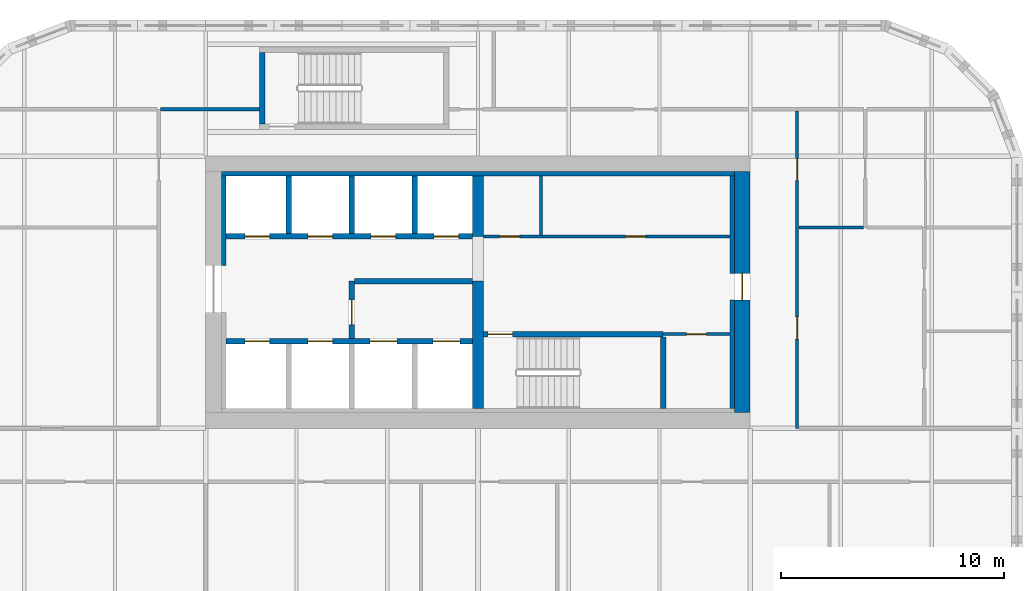
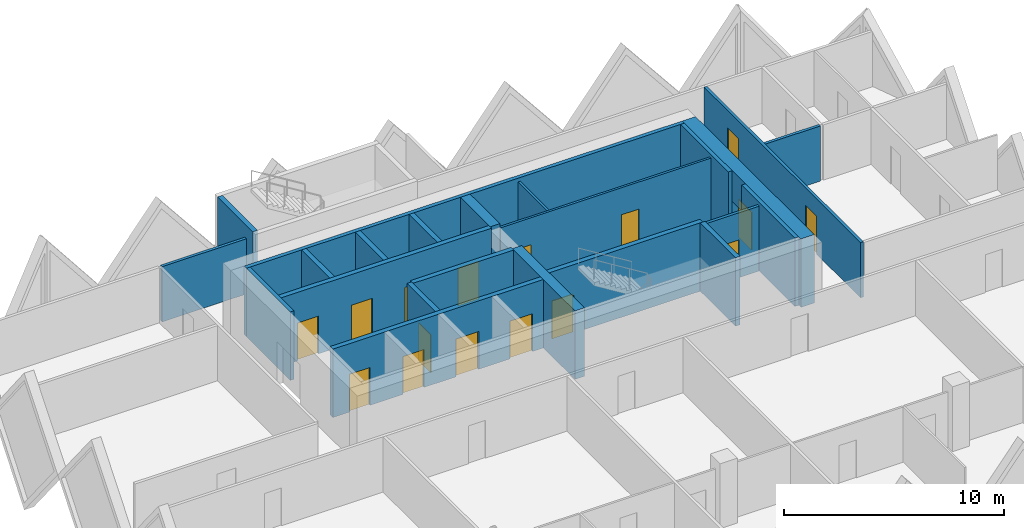
# One storey, part 13 of 18: 23 walls, 16 doors, 16 openings.
"""IFC4 building model written with IfcOpenShell, lengths in metres."""

from ifc_helpers import new_model, si_unit, direction, frame, frame_2d, origin, place, context, subcontext, project, spatial, rectangle, extrude, source, transform, mapped, material, layer, layer_set, type_object, element, fill, save


model = new_model("IFC4")

# Units and contexts
model_context = context("Model", 3, precision=1e-05, world=origin(), true_north=direction((0.0, 1.0)))
body_context = subcontext(model_context, "Body", "Model", "MODEL_VIEW")
ifc_project = project(units=[si_unit("LENGTHUNIT", "METRE"), si_unit("AREAUNIT", "SQUARE_METRE"), si_unit("VOLUMEUNIT", "CUBIC_METRE"), si_unit("PLANEANGLEUNIT", "RADIAN"), si_unit("MASSUNIT", "GRAM", prefix="KILO")], contexts=[model_context])

# Site, building, storey
site_placement = place(None, origin())
site = spatial("IfcSite", under=ifc_project, at=site_placement, CompositionType="ELEMENT")
building_placement = place(site_placement, origin())
building = spatial("IfcBuilding", under=site, at=building_placement, Name="Tessera Gate Towers", CompositionType="ELEMENT")
storey_placement = place(building_placement, frame((0.0, 0.0, 56.199951171875)))
storey = spatial("IfcBuildingStorey", under=building, at=storey_placement, Name="L13", CompositionType="ELEMENT", Elevation=56.199951171875)

# Wall, openings, doors
ifc_material_1 = material(Name="Concrete C40/50", Category="concrete")
ifc_layer_1 = layer(ifc_material_1, 0.25)
ifc_layer_set_1 = layer_set([ifc_layer_1], Name="CORE ENCLOSURE WALL 250")
wall_type_1 = type_object("IfcWallType", Name="CORE ENCLOSURE WALL 250", PredefinedType="SOLIDWALL", material=ifc_layer_set_1)
wall_1_placement = place(storey_placement, frame((98.5, 40.5, 0.0), z_axis=(0.0, 0.0, 1.0), x_axis=(1.0, 0.0, 0.0)))
wall_1 = element("IfcWall", 1, at=wall_1_placement, inside=storey, type_object=wall_type_1, Name="L13 shaft and stair enclosure wall", PredefinedType="SOLIDWALL", context=body_context, shape_type="SweptSolid", body=[
    extrude(rectangle(XDim=11.050048828125, YDim=0.25, at=frame_2d((5.52490234375, 0.0))), origin(), (0.0, 0.0, 1.0), 3.800048828125),
])
shared_shape_1 = source(origin(), body_context, "Body", "SweptSolid", [
    extrude(rectangle(XDim=1.10009765625, YDim=2.10009765625, at=frame_2d((0.550048828125, 1.050048828125))), frame((0.0, 0.135009765625, 0.0), z_axis=(0.0, -1.0, 0.0), x_axis=(1.0, 0.0, 0.0)), (0.0, 0.0, 1.0), 0.27001953125),
])
opening_1_placement = place(wall_1_placement, frame((0.862548828125, 0.0, 0.0)))
opening_1 = element("IfcOpeningElement", 2, at=opening_1_placement, cuts=wall_1, Name="Opening LD-TL1", PredefinedType="OPENING", context=body_context, shape_type="MappedRepresentation", body=[
    mapped(shared_shape_1, transform((0.0, 0.0, 0.0), scale=1.0)),
])
opening_2_placement = place(wall_1_placement, frame((3.6875, 0.0, 0.0)))
opening_2 = element("IfcOpeningElement", 3, at=opening_2_placement, cuts=wall_1, Name="Opening LD-TL2", PredefinedType="OPENING", context=body_context, shape_type="MappedRepresentation", body=[
    mapped(shared_shape_1, transform((0.0, 0.0, 0.0), scale=1.0)),
])
shared_shape_2 = source(origin(), body_context, "Body", "SweptSolid", [
    extrude(rectangle(XDim=1.199951171875, YDim=2.10009765625, at=frame_2d((0.60009765625, 1.050048828125))), frame((0.0, 0.135009765625, 0.0), z_axis=(0.0, -1.0, 0.0), x_axis=(1.0, 0.0, 0.0)), (0.0, 0.0, 1.0), 0.27001953125),
])
opening_3_placement = place(wall_1_placement, frame((6.46240234375, 0.0, 0.0)))
opening_3 = element("IfcOpeningElement", 4, at=opening_3_placement, cuts=wall_1, Name="Opening LD-FF3", PredefinedType="OPENING", context=body_context, shape_type="MappedRepresentation", body=[
    mapped(shared_shape_2, transform((0.0, 0.0, 0.0), scale=1.0)),
])
opening_4_placement = place(wall_1_placement, frame((9.28759765625, 0.0, 0.0)))
opening_4 = element("IfcOpeningElement", 5, at=opening_4_placement, cuts=wall_1, Name="Opening LD-FF4", PredefinedType="OPENING", context=body_context, shape_type="MappedRepresentation", body=[
    mapped(shared_shape_2, transform((0.0, 0.0, 0.0), scale=1.0)),
])
ifc_material_2 = material(Name="Stainless steel", Category="steel")
door_type_1 = type_object("IfcDoorType", Name="CORE DOOR LD1200 1200x2100", OperationType="DOUBLE_DOOR_SLIDING", PredefinedType="DOOR", material=ifc_material_2)
shared_shape_3 = source(origin(), body_context, "Body", "SweptSolid", [
    extrude(rectangle(XDim=1.199951171875, YDim=2.10009765625, at=frame_2d((0.60009765625, 1.050048828125))), frame((0.0, 0.02490234375, 0.0), z_axis=(0.0, -1.0, 0.0), x_axis=(1.0, 0.0, 0.0)), (0.0, 0.0, 1.0), 0.050048828125),
])
door_1_placement = place(opening_3_placement, origin())
door_1 = element("IfcDoor", 6, at=door_1_placement, inside=storey, type_object=door_type_1, Name="Landing door FF3 L13", OperationType="DOUBLE_DOOR_SLIDING", OverallHeight=2.10009765625, OverallWidth=1.199951171875, PredefinedType="DOOR", context=body_context, shape_type="MappedRepresentation", body=[
    mapped(shared_shape_3, transform((0.0, 0.0, 0.0), scale=1.0)),
])
fill(opening_3, door_1)
door_2_placement = place(opening_4_placement, origin())
door_2 = element("IfcDoor", 7, at=door_2_placement, inside=storey, type_object=door_type_1, Name="Landing door FF4 L13", OperationType="DOUBLE_DOOR_SLIDING", OverallHeight=2.10009765625, OverallWidth=1.199951171875, PredefinedType="DOOR", context=body_context, shape_type="MappedRepresentation", body=[
    mapped(shared_shape_3, transform((0.0, 0.0, 0.0), scale=1.0)),
])
fill(opening_4, door_2)
ifc_material_3 = material(Name="Stainless steel", Category="steel")
door_type_2 = type_object("IfcDoorType", Name="CORE DOOR LD 1100x2100", OperationType="DOUBLE_DOOR_SLIDING", PredefinedType="DOOR", material=ifc_material_3)
shared_shape_4 = source(origin(), body_context, "Body", "SweptSolid", [
    extrude(rectangle(XDim=1.10009765625, YDim=2.10009765625, at=frame_2d((0.550048828125, 1.050048828125))), frame((0.0, 0.02490234375, 0.0), z_axis=(0.0, -1.0, 0.0), x_axis=(1.0, 0.0, 0.0)), (0.0, 0.0, 1.0), 0.050048828125),
])
door_3_placement = place(opening_1_placement, origin())
door_3 = element("IfcDoor", 8, at=door_3_placement, inside=storey, type_object=door_type_2, Name="Landing door TL1 L13", OperationType="DOUBLE_DOOR_SLIDING", OverallHeight=2.10009765625, OverallWidth=1.10009765625, PredefinedType="DOOR", context=body_context, shape_type="MappedRepresentation", body=[
    mapped(shared_shape_4, transform((0.0, 0.0, 0.0), scale=1.0)),
])
fill(opening_1, door_3)
door_4_placement = place(opening_2_placement, origin())
door_4 = element("IfcDoor", 9, at=door_4_placement, inside=storey, type_object=door_type_2, Name="Landing door TL2 L13", OperationType="DOUBLE_DOOR_SLIDING", OverallHeight=2.10009765625, OverallWidth=1.10009765625, PredefinedType="DOOR", context=body_context, shape_type="MappedRepresentation", body=[
    mapped(shared_shape_4, transform((0.0, 0.0, 0.0), scale=1.0)),
])
fill(opening_2, door_4)

wall_2_placement = place(storey_placement, frame((109.550048828125, 45.199951171875, 0.0), z_axis=(0.0, 0.0, 1.0), x_axis=(-1.0, 0.0, 0.0)))
wall_2 = element("IfcWall", 10, at=wall_2_placement, inside=storey, type_object=wall_type_1, Name="L13 shaft and stair enclosure wall", PredefinedType="SOLIDWALL", context=body_context, shape_type="SweptSolid", body=[
    extrude(rectangle(XDim=11.050048828125, YDim=0.25, at=frame_2d((5.52490234375, 0.0))), origin(), (0.0, 0.0, 1.0), 3.800048828125),
])
opening_5_placement = place(wall_2_placement, frame((9.08740234375, 0.0, 0.0)))
opening_5 = element("IfcOpeningElement", 11, at=opening_5_placement, cuts=wall_2, Name="Opening LD-TL3", PredefinedType="OPENING", context=body_context, shape_type="MappedRepresentation", body=[
    mapped(shared_shape_1, transform((0.0, 0.0, 0.0), scale=1.0)),
])
opening_6_placement = place(wall_2_placement, frame((6.262451171875, 0.0, 0.0)))
opening_6 = element("IfcOpeningElement", 12, at=opening_6_placement, cuts=wall_2, Name="Opening LD-TL4", PredefinedType="OPENING", context=body_context, shape_type="MappedRepresentation", body=[
    mapped(shared_shape_1, transform((0.0, 0.0, 0.0), scale=1.0)),
])
opening_7_placement = place(wall_2_placement, frame((3.4375, 0.0, 0.0)))
opening_7 = element("IfcOpeningElement", 13, at=opening_7_placement, cuts=wall_2, Name="Opening LD-TL5", PredefinedType="OPENING", context=body_context, shape_type="MappedRepresentation", body=[
    mapped(shared_shape_1, transform((0.0, 0.0, 0.0), scale=1.0)),
])
opening_8_placement = place(wall_2_placement, frame((0.612548828125, 0.0, 0.0)))
opening_8 = element("IfcOpeningElement", 14, at=opening_8_placement, cuts=wall_2, Name="Opening LD-TL6", PredefinedType="OPENING", context=body_context, shape_type="MappedRepresentation", body=[
    mapped(shared_shape_1, transform((0.0, 0.0, 0.0), scale=1.0)),
])
door_5_placement = place(opening_5_placement, origin())
door_5 = element("IfcDoor", 15, at=door_5_placement, inside=storey, type_object=door_type_2, Name="Landing door TL3 L13", OperationType="DOUBLE_DOOR_SLIDING", OverallHeight=2.10009765625, OverallWidth=1.10009765625, PredefinedType="DOOR", context=body_context, shape_type="MappedRepresentation", body=[
    mapped(shared_shape_4, transform((0.0, 0.0, 0.0), scale=1.0)),
])
fill(opening_5, door_5)
door_6_placement = place(opening_6_placement, origin())
door_6 = element("IfcDoor", 16, at=door_6_placement, inside=storey, type_object=door_type_2, Name="Landing door TL4 L13", OperationType="DOUBLE_DOOR_SLIDING", OverallHeight=2.10009765625, OverallWidth=1.10009765625, PredefinedType="DOOR", context=body_context, shape_type="MappedRepresentation", body=[
    mapped(shared_shape_4, transform((0.0, 0.0, 0.0), scale=1.0)),
])
fill(opening_6, door_6)
door_7_placement = place(opening_7_placement, origin())
door_7 = element("IfcDoor", 17, at=door_7_placement, inside=storey, type_object=door_type_2, Name="Landing door TL5 L13", OperationType="DOUBLE_DOOR_SLIDING", OverallHeight=2.10009765625, OverallWidth=1.10009765625, PredefinedType="DOOR", context=body_context, shape_type="MappedRepresentation", body=[
    mapped(shared_shape_4, transform((0.0, 0.0, 0.0), scale=1.0)),
])
fill(opening_7, door_7)
door_8_placement = place(opening_8_placement, origin())
door_8 = element("IfcDoor", 18, at=door_8_placement, inside=storey, type_object=door_type_2, Name="Landing door TL6 L13", OperationType="DOUBLE_DOOR_SLIDING", OverallHeight=2.10009765625, OverallWidth=1.10009765625, PredefinedType="DOOR", context=body_context, shape_type="MappedRepresentation", body=[
    mapped(shared_shape_4, transform((0.0, 0.0, 0.0), scale=1.0)),
])
fill(opening_8, door_8)

# Wall, opening, door
wall_3_placement = place(storey_placement, frame((118.10009765625, 40.824951171875, 0.0), z_axis=(0.0, 0.0, 1.0), x_axis=(-1.0, 0.0, 0.0)))
wall_3 = element("IfcWall", 19, at=wall_3_placement, inside=storey, type_object=wall_type_1, Name="L13 shaft and stair enclosure wall", PredefinedType="SOLIDWALL", context=body_context, shape_type="SweptSolid", body=[
    extrude(rectangle(XDim=8.050048828125, YDim=0.25, at=frame_2d((4.02490234375, 0.0))), origin(), (0.0, 0.0, 1.0), 3.800048828125),
])
opening_9_placement = place(wall_3_placement, frame((6.75, 0.0, 0.0)))
opening_9 = element("IfcOpeningElement", 20, at=opening_9_placement, cuts=wall_3, Name="Opening SD-ST6-1", PredefinedType="OPENING", context=body_context, shape_type="MappedRepresentation", body=[
    mapped(shared_shape_1, transform((0.0, 0.0, 0.0), scale=1.0)),
])
ifc_material_4 = material(Name="Hollow steel fire door", Category="steel")
door_type_3 = type_object("IfcDoorType", Name="CORE DOOR SD1100 1100x2100", OperationType="NOTDEFINED", PredefinedType="DOOR", material=ifc_material_4)
door_9_placement = place(opening_9_placement, origin())
door_9 = element("IfcDoor", 21, at=door_9_placement, inside=storey, type_object=door_type_3, Name="Stair door", OperationType="SINGLE_SWING_RIGHT", OverallHeight=2.10009765625, OverallWidth=1.10009765625, PredefinedType="DOOR", context=body_context, shape_type="MappedRepresentation", body=[
    mapped(shared_shape_4, transform((0.0, 0.0, 0.0), scale=1.0)),
])
fill(opening_9, door_9)

wall_4_placement = place(storey_placement, frame((104.14990234375, 43.199951171875, 0.0), z_axis=(0.0, 0.0, 1.0), x_axis=(0.0, -1.0, 0.0)))
wall_4 = element("IfcWall", 22, at=wall_4_placement, inside=storey, type_object=wall_type_1, Name="L13 shaft and stair enclosure wall", PredefinedType="SOLIDWALL", context=body_context, shape_type="SweptSolid", body=[
    extrude(rectangle(XDim=2.574951171875, YDim=0.25, at=frame_2d((1.28759765625, 0.0))), origin(), (0.0, 0.0, 1.0), 3.800048828125),
])
opening_10_placement = place(wall_4_placement, frame((0.85009765625, 0.0, 0.0)))
opening_10 = element("IfcOpeningElement", 23, at=opening_10_placement, cuts=wall_4, Name="Opening FD-T2-03-03", PredefinedType="OPENING", context=body_context, shape_type="MappedRepresentation", body=[
    mapped(shared_shape_1, transform((0.0, 0.0, 0.0), scale=1.0)),
])
ifc_material_5 = material(Name="Hollow steel fire door", Category="steel")
door_type_4 = type_object("IfcDoorType", Name="CORE DOOR FD 1100x2100", OperationType="NOTDEFINED", PredefinedType="DOOR", material=ifc_material_5)
door_10_placement = place(opening_10_placement, origin())
door_10 = element("IfcDoor", 24, at=door_10_placement, inside=storey, type_object=door_type_4, Name="Fire-fighting lobby door", OperationType="SINGLE_SWING_RIGHT", OverallHeight=2.10009765625, OverallWidth=1.10009765625, PredefinedType="DOOR", context=body_context, shape_type="MappedRepresentation", body=[
    mapped(shared_shape_4, transform((0.0, 0.0, 0.0), scale=1.0)),
])
fill(opening_10, door_10)

# Walls
wall_5_placement = place(storey_placement, frame((104.27490234375, 43.199951171875, 0.0), z_axis=(0.0, 0.0, 1.0), x_axis=(1.0, 0.0, 0.0)))
element("IfcWall", 25, at=wall_5_placement, inside=storey, type_object=wall_type_1, Name="L13 shaft and stair enclosure wall", PredefinedType="SOLIDWALL", context=body_context, shape_type="SweptSolid", body=[
    extrude(rectangle(XDim=5.275146484375, YDim=0.25, at=frame_2d((2.6376953125, 0.0))), origin(), (0.0, 0.0, 1.0), 3.800048828125),
])
wall_6_placement = place(storey_placement, frame((118.10009765625, 37.5, 0.0), z_axis=(0.0, 0.0, 1.0), x_axis=(0.0, 1.0, 0.0)))
element("IfcWall", 26, at=wall_6_placement, inside=storey, type_object=wall_type_1, Name="L13 shaft and stair enclosure wall", PredefinedType="SOLIDWALL", context=body_context, shape_type="SweptSolid", body=[
    extrude(rectangle(XDim=3.199951171875, YDim=0.25, at=frame_2d((1.60009765625, 0.0))), origin(), (0.0, 0.0, 1.0), 3.800048828125),
])
for number, where, z_axis, x_axis, name in (
    (27, (101.324951171875, 45.324951171875, 0.0), (0.0, 0.0, 1.0), (0.0, 1.0, 0.0), "L13 shaft and stair enclosure wall"),
    (28, (104.14990234375, 45.324951171875, 0.0), (0.0, 0.0, 1.0), (0.0, 1.0, 0.0), "L13 shaft and stair enclosure wall"),
    (29, (106.97509765625, 45.324951171875, 0.0), (0.0, 0.0, 1.0), (0.0, 1.0, 0.0), "L13 shaft and stair enclosure wall"),
):
    element("IfcWall", number, at=place(storey_placement, frame(where, z_axis=z_axis, x_axis=x_axis)), inside=storey, type_object=wall_type_1, Name=name, PredefinedType="SOLIDWALL", context=body_context, shape_type="SweptSolid", body=[
        extrude(rectangle(XDim=2.574951171875, YDim=0.25, at=frame_2d((1.28759765625, 0.0))), origin(), (0.0, 0.0, 1.0), 3.800048828125),
    ])
wall_7_placement = place(storey_placement, frame((100.125, 50.25, 0.0), z_axis=(0.0, 0.0, 1.0), x_axis=(0.0, 1.0, 0.0)))
element("IfcWall", 30, at=wall_7_placement, inside=storey, type_object=wall_type_1, Name="L13 ST7 enclosure wall", PredefinedType="SOLIDWALL", context=body_context, shape_type="SweptSolid", body=[
    extrude(rectangle(XDim=3.199951171875, YDim=0.25, at=frame_2d((1.60009765625, 0.0))), origin(), (0.0, 0.0, 1.0), 3.800048828125),
])

# Wall, openings, doors
ifc_material_6 = material(Name="Gypsum board on steel studs", Category="steel")
ifc_layer_2 = layer(ifc_material_6, 0.1201171875)
ifc_layer_set_2 = layer_set([ifc_layer_2], Name="CORE PARTITION 120")
wall_type_2 = type_object("IfcWallType", Name="CORE PARTITION 120", PredefinedType="PARTITIONING", material=ifc_layer_set_2)
wall_8_placement = place(storey_placement, frame((110.050048828125, 45.199951171875, 0.0), z_axis=(0.0, 0.0, 1.0), x_axis=(1.0, 0.0, 0.0)))
wall_8 = element("IfcWall", 31, at=wall_8_placement, inside=storey, type_object=wall_type_2, Name="L13 core partition", PredefinedType="PARTITIONING", context=body_context, shape_type="SweptSolid", body=[
    extrude(rectangle(XDim=11.050048828125, YDim=0.1201171875, at=frame_2d((5.52490234375, 0.0))), origin(), (0.0, 0.0, 1.0), 3.60009765625),
])
shared_shape_5 = source(origin(), body_context, "Body", "SweptSolid", [
    extrude(rectangle(XDim=0.89990234375, YDim=2.10009765625, at=frame_2d((0.449951171875, 1.050048828125))), frame((0.0, 0.070068359375, 0.0), z_axis=(0.0, -1.0, 0.0), x_axis=(1.0, 0.0, 0.0)), (0.0, 0.0, 1.0), 0.14013671875),
])
opening_11_placement = place(wall_8_placement, frame((0.71240234375, 0.0, 0.0)))
opening_11 = element("IfcOpeningElement", 32, at=opening_11_placement, cuts=wall_8, Name="Opening RD-T2-03-04", PredefinedType="OPENING", context=body_context, shape_type="MappedRepresentation", body=[
    mapped(shared_shape_5, transform((0.0, 0.0, 0.0), scale=1.0)),
])
opening_12_placement = place(wall_8_placement, frame((6.362548828125, 0.0, 0.0)))
opening_12 = element("IfcOpeningElement", 33, at=opening_12_placement, cuts=wall_8, Name="Opening RD-T2-03-05", PredefinedType="OPENING", context=body_context, shape_type="MappedRepresentation", body=[
    mapped(shared_shape_5, transform((0.0, 0.0, 0.0), scale=1.0)),
])
ifc_material_7 = material(Name="Hollow steel fire door", Category="steel")
door_type_5 = type_object("IfcDoorType", Name="CORE DOOR RD 900x2100", OperationType="NOTDEFINED", PredefinedType="DOOR", material=ifc_material_7)
shared_shape_6 = source(origin(), body_context, "Body", "SweptSolid", [
    extrude(rectangle(XDim=0.89990234375, YDim=2.10009765625, at=frame_2d((0.449951171875, 1.050048828125))), frame((0.0, 0.02490234375, 0.0), z_axis=(0.0, -1.0, 0.0), x_axis=(1.0, 0.0, 0.0)), (0.0, 0.0, 1.0), 0.050048828125),
])
door_11_placement = place(opening_11_placement, origin())
door_11 = element("IfcDoor", 34, at=door_11_placement, inside=storey, type_object=door_type_5, Name="Core room door", OperationType="SINGLE_SWING_LEFT", OverallHeight=2.10009765625, OverallWidth=0.89990234375, PredefinedType="DOOR", context=body_context, shape_type="MappedRepresentation", body=[
    mapped(shared_shape_6, transform((0.0, 0.0, 0.0), scale=1.0)),
])
fill(opening_11, door_11)
door_12_placement = place(opening_12_placement, origin())
door_12 = element("IfcDoor", 35, at=door_12_placement, inside=storey, type_object=door_type_5, Name="Core room door", OperationType="SINGLE_SWING_RIGHT", OverallHeight=2.10009765625, OverallWidth=0.89990234375, PredefinedType="DOOR", context=body_context, shape_type="MappedRepresentation", body=[
    mapped(shared_shape_6, transform((0.0, 0.0, 0.0), scale=1.0)),
])
fill(opening_12, door_12)

# Wall
wall_9_placement = place(storey_placement, frame((112.625, 45.260009765625, 0.0), z_axis=(0.0, 0.0, 1.0), x_axis=(0.0, 1.0, 0.0)))
element("IfcWall", 36, at=wall_9_placement, inside=storey, type_object=wall_type_2, Name="L13 core partition", PredefinedType="PARTITIONING", context=body_context, shape_type="SweptSolid", body=[
    extrude(rectangle(XDim=2.639892578125, YDim=0.1201171875, at=frame_2d((1.31982421875, 0.0))), origin(), (0.0, 0.0, 1.0), 3.60009765625),
])

# Wall, opening, door
ifc_material_8 = material(Name="Concrete C60/75", Category="concrete")
ifc_layer_3 = layer(ifc_material_8, 0.699951171875)
ifc_layer_set_3 = layer_set([ifc_layer_3], Name="CORE SHEAR WALL 700 C60/75")
wall_type_3 = type_object("IfcWallType", Name="CORE SHEAR WALL 700 C60/75", PredefinedType="SHEAR", material=ifc_layer_set_3)
wall_10_placement = place(storey_placement, frame((121.64990234375, 48.10009765625, 0.0), z_axis=(0.0, 0.0, 1.0), x_axis=(0.0, -1.0, 0.0)))
wall_10 = element("IfcWall", 37, at=wall_10_placement, inside=storey, type_object=wall_type_3, Name="Core wall E L13", PredefinedType="SHEAR", context=body_context, shape_type="SweptSolid", body=[
    extrude(rectangle(XDim=10.800048828125, YDim=0.699951171875, at=frame_2d((5.39990234375, 0.0))), origin(), (0.0, 0.0, 1.0), 3.800048828125),
])
shared_shape_7 = source(origin(), body_context, "Body", "SweptSolid", [
    extrude(rectangle(XDim=1.199951171875, YDim=2.10009765625, at=frame_2d((0.60009765625, 1.050048828125))), frame((0.0, 0.35986328125, 0.0), z_axis=(0.0, -1.0, 0.0), x_axis=(1.0, 0.0, 0.0)), (0.0, 0.0, 1.0), 0.719970703125),
])
opening_13_placement = place(wall_10_placement, frame((4.550048828125, 0.0, 0.0)))
opening_13 = element("IfcOpeningElement", 38, at=opening_13_placement, cuts=wall_10, Name="Opening ED-T2-03-02", PredefinedType="OPENING", context=body_context, shape_type="MappedRepresentation", body=[
    mapped(shared_shape_7, transform((0.0, 0.0, 0.0), scale=1.0)),
])
ifc_material_9 = material(Name="Hollow steel fire door", Category="steel")
door_type_6 = type_object("IfcDoorType", Name="CORE DOOR ED 1200x2100", OperationType="NOTDEFINED", PredefinedType="DOOR", material=ifc_material_9)
door_13_placement = place(opening_13_placement, origin())
door_13 = element("IfcDoor", 39, at=door_13_placement, inside=storey, type_object=door_type_6, Name="Core exit door", OperationType="SINGLE_SWING_LEFT", OverallHeight=2.10009765625, OverallWidth=1.199951171875, PredefinedType="DOOR", context=body_context, shape_type="MappedRepresentation", body=[
    mapped(shared_shape_3, transform((0.0, 0.0, 0.0), scale=1.0)),
])
fill(opening_13, door_13)

# Walls
ifc_material_10 = material(Name="Concrete C60/75", Category="concrete")
ifc_layer_4 = layer(ifc_material_10, 0.5)
ifc_layer_set_4 = layer_set([ifc_layer_4], Name="CORE SPINE WALL 500 C60/75")
wall_type_4 = type_object("IfcWallType", Name="CORE SPINE WALL 500 C60/75", PredefinedType="SHEAR", material=ifc_layer_set_4)
wall_11_placement = place(storey_placement, frame((109.800048828125, 37.5, 0.0), z_axis=(0.0, 0.0, 1.0), x_axis=(0.0, 1.0, 0.0)))
element("IfcWall", 40, at=wall_11_placement, inside=storey, type_object=wall_type_4, Name="Core wall spine L13", PredefinedType="SHEAR", context=body_context, shape_type="SweptSolid", body=[
    extrude(rectangle(XDim=5.699951171875, YDim=0.5, at=frame_2d((2.85009765625, 0.0))), origin(), (0.0, 0.0, 1.0), 3.800048828125),
])
wall_12_placement = place(storey_placement, frame((109.800048828125, 45.199951171875, 0.0), z_axis=(0.0, 0.0, 1.0), x_axis=(0.0, 1.0, 0.0)))
element("IfcWall", 41, at=wall_12_placement, inside=storey, type_object=wall_type_4, Name="Core wall spine L13", PredefinedType="SHEAR", context=body_context, shape_type="SweptSolid", body=[
    extrude(rectangle(XDim=2.699951171875, YDim=0.5, at=frame_2d((1.35009765625, 0.0))), origin(), (0.0, 0.0, 1.0), 3.800048828125),
])
ifc_material_11 = material(Name="Concrete C60/75", Category="concrete")
ifc_layer_5 = layer(ifc_material_11, 0.199951171875)
ifc_layer_set_5 = layer_set([ifc_layer_5], Name="CORE WALL THICKENING 200")
wall_type_5 = type_object("IfcWallType", Name="CORE WALL THICKENING 200", PredefinedType="SOLIDWALL", material=ifc_layer_set_5)
wall_13_placement = place(storey_placement, frame((98.300048828125, 48.0, 0.0), z_axis=(0.0, 0.0, 1.0), x_axis=(1.0, 0.0, 0.0)))
element("IfcWall", 42, at=wall_13_placement, inside=storey, type_object=wall_type_5, Name="Core wall thickening N L13", PredefinedType="SOLIDWALL", context=body_context, shape_type="SweptSolid", body=[
    extrude(rectangle(XDim=23.0, YDim=0.199951171875, at=frame_2d((11.5, 0.0))), origin(), (0.0, 0.0, 1.0), 3.800048828125),
])
wall_14_placement = place(storey_placement, frame((98.39990234375, 43.89990234375, 0.0), z_axis=(0.0, 0.0, 1.0), x_axis=(0.0, 1.0, 0.0)))
element("IfcWall", 43, at=wall_14_placement, inside=storey, type_object=wall_type_5, Name="Core wall thickening W L13", PredefinedType="SOLIDWALL", context=body_context, shape_type="SweptSolid", body=[
    extrude(rectangle(XDim=4.0, YDim=0.199951171875, at=frame_2d((2.0, 0.0))), origin(), (0.0, 0.0, 1.0), 3.800048828125),
])
wall_15_placement = place(storey_placement, frame((121.199951171875, 37.5, 0.0), z_axis=(0.0, 0.0, 1.0), x_axis=(0.0, 1.0, 0.0)))
element("IfcWall", 44, at=wall_15_placement, inside=storey, type_object=wall_type_5, Name="Core wall thickening E L13", PredefinedType="SOLIDWALL", context=body_context, shape_type="SweptSolid", body=[
    extrude(rectangle(XDim=4.85009765625, YDim=0.199951171875, at=frame_2d((2.425048828125, 0.0))), origin(), (0.0, 0.0, 1.0), 3.800048828125),
])
wall_16_placement = place(storey_placement, frame((121.199951171875, 43.550048828125, 0.0), z_axis=(0.0, 0.0, 1.0), x_axis=(0.0, 1.0, 0.0)))
element("IfcWall", 45, at=wall_16_placement, inside=storey, type_object=wall_type_5, Name="Core wall thickening E L13", PredefinedType="SOLIDWALL", context=body_context, shape_type="SweptSolid", body=[
    extrude(rectangle(XDim=4.349853515625, YDim=0.199951171875, at=frame_2d((2.1748046875, 0.0))), origin(), (0.0, 0.0, 1.0), 3.800048828125),
])

# Wall, openings, doors
ifc_material_12 = material(Name="Gypsum board on steel studs, mineral wool", Category="steel")
ifc_layer_6 = layer(ifc_material_12, 0.14990234375)
ifc_layer_set_6 = layer_set([ifc_layer_6], Name="CORRIDOR WALL 150")
wall_type_6 = type_object("IfcWallType", Name="CORRIDOR WALL 150", PredefinedType="PARTITIONING", material=ifc_layer_set_6)
wall_17_placement = place(storey_placement, frame((124.10009765625, 50.823974609375, 0.0), z_axis=(0.0, 0.0, 1.0), x_axis=(0.0, -1.0, 0.0)))
wall_17 = element("IfcWall", 46, at=wall_17_placement, inside=storey, type_object=wall_type_6, Name="T2-L13-PW-019", PredefinedType="PARTITIONING", context=body_context, shape_type="SweptSolid", body=[
    extrude(rectangle(XDim=14.223876953125, YDim=0.14990234375, at=frame_2d((7.11181640625, 0.0))), origin(), (0.0, 0.0, 1.0), 3.067138671875),
])
shared_shape_8 = source(origin(), body_context, "Body", "SweptSolid", [
    extrude(rectangle(XDim=1.0, YDim=2.10009765625, at=frame_2d((0.5, 1.050048828125))), frame((0.0, 0.0849609375, 0.0), z_axis=(0.0, -1.0, 0.0), x_axis=(1.0, 0.0, 0.0)), (0.0, 0.0, 1.0), 0.169921875),
])
opening_14_placement = place(wall_17_placement, frame((2.123046875, 0.0, 0.0)))
opening_14 = element("IfcOpeningElement", 47, at=opening_14_placement, cuts=wall_17, Name="Opening D2100FD60-B06-01", PredefinedType="OPENING", context=body_context, shape_type="MappedRepresentation", body=[
    mapped(shared_shape_8, transform((0.0, 0.0, 0.0), scale=1.0)),
])
opening_15_placement = place(wall_17_placement, frame((9.22412109375, 0.0, 0.0)))
opening_15 = element("IfcOpeningElement", 48, at=opening_15_placement, cuts=wall_17, Name="Opening D2100FD60-B06-04", PredefinedType="OPENING", context=body_context, shape_type="MappedRepresentation", body=[
    mapped(shared_shape_8, transform((0.0, 0.0, 0.0), scale=1.0)),
])
ifc_material_13 = material(Name="Timber door leaf in steel frame", Category="steel")
door_type_7 = type_object("IfcDoorType", Name="TENANCY ENTRANCE DOOR 1000 FD60", OperationType="NOTDEFINED", PredefinedType="DOOR", material=ifc_material_13)
shared_shape_9 = source(origin(), body_context, "Body", "SweptSolid", [
    extrude(rectangle(XDim=1.0, YDim=2.10009765625, at=frame_2d((0.5, 1.050048828125))), frame((0.0, 0.02490234375, 0.0), z_axis=(0.0, -1.0, 0.0), x_axis=(1.0, 0.0, 0.0)), (0.0, 0.0, 1.0), 0.050048828125),
])
door_14_placement = place(opening_14_placement, origin())
door_14 = element("IfcDoor", 49, at=door_14_placement, inside=storey, type_object=door_type_7, Name="T2-L13-PD-006", OperationType="SINGLE_SWING_RIGHT", OverallHeight=2.10009765625, OverallWidth=1.0, PredefinedType="DOOR", context=body_context, shape_type="MappedRepresentation", body=[
    mapped(shared_shape_9, transform((0.0, 0.0, 0.0), scale=1.0)),
])
fill(opening_14, door_14)
door_15_placement = place(opening_15_placement, origin())
door_15 = element("IfcDoor", 50, at=door_15_placement, inside=storey, type_object=door_type_7, Name="T2-L13-PD-020", OperationType="SINGLE_SWING_RIGHT", OverallHeight=2.10009765625, OverallWidth=1.0, PredefinedType="DOOR", context=body_context, shape_type="MappedRepresentation", body=[
    mapped(shared_shape_9, transform((0.0, 0.0, 0.0), scale=1.0)),
])
fill(opening_15, door_15)

# Wall
wall_18_placement = place(storey_placement, frame((95.575927734375, 50.89990234375, 0.0), z_axis=(0.0, 0.0, 1.0), x_axis=(1.0, 0.0, 0.0)))
element("IfcWall", 51, at=wall_18_placement, inside=storey, type_object=wall_type_6, Name="T2-L13-PW-031", PredefinedType="PARTITIONING", context=body_context, shape_type="SweptSolid", body=[
    extrude(rectangle(XDim=4.424072265625, YDim=0.14990234375, at=frame_2d((2.2119140625, 0.0))), origin(), (0.0, 0.0, 1.0), 3.067138671875),
])

# Wall, opening, door
ifc_material_14 = material(Name="Gypsum board on steel studs", Category="steel")
ifc_layer_7 = layer(ifc_material_14, 0.14990234375)
ifc_layer_set_7 = layer_set([ifc_layer_7], Name="SERVICE ROOM WALL 150")
wall_type_7 = type_object("IfcWallType", Name="SERVICE ROOM WALL 150", PredefinedType="PARTITIONING", material=ifc_layer_set_7)
wall_19_placement = place(storey_placement, frame((121.10009765625, 40.824951171875, 0.0), z_axis=(0.0, 0.0, 1.0), x_axis=(-1.0, 0.0, 0.0)))
wall_19 = element("IfcWall", 52, at=wall_19_placement, inside=storey, type_object=wall_type_7, Name="L13 service room wall", PredefinedType="PARTITIONING", context=body_context, shape_type="SweptSolid", body=[
    extrude(rectangle(XDim=3.0, YDim=0.14990234375, at=frame_2d((1.5, 0.0))), origin(), (0.0, 0.0, 1.0), 3.60009765625),
])
shared_shape_10 = source(origin(), body_context, "Body", "SweptSolid", [
    extrude(rectangle(XDim=0.89990234375, YDim=2.10009765625, at=frame_2d((0.449951171875, 1.050048828125))), frame((0.0, 0.0849609375, 0.0), z_axis=(0.0, -1.0, 0.0), x_axis=(1.0, 0.0, 0.0)), (0.0, 0.0, 1.0), 0.169921875),
])
opening_16_placement = place(wall_19_placement, frame((1.050048828125, 0.0, 0.0)))
opening_16 = element("IfcOpeningElement", 53, at=opening_16_placement, cuts=wall_19, Name="Opening RD-T2-03-06", PredefinedType="OPENING", context=body_context, shape_type="MappedRepresentation", body=[
    mapped(shared_shape_10, transform((0.0, 0.0, 0.0), scale=1.0)),
])
door_16_placement = place(opening_16_placement, origin())
door_16 = element("IfcDoor", 54, at=door_16_placement, inside=storey, type_object=door_type_5, Name="Core room door", OperationType="SINGLE_SWING_RIGHT", OverallHeight=2.10009765625, OverallWidth=0.89990234375, PredefinedType="DOOR", context=body_context, shape_type="MappedRepresentation", body=[
    mapped(shared_shape_6, transform((0.0, 0.0, 0.0), scale=1.0)),
])
fill(opening_16, door_16)

# Wall
ifc_material_15 = material(Name="Gypsum board on steel studs, mineral wool", Category="steel")
ifc_layer_8 = layer(ifc_material_15, 0.14990234375)
ifc_layer_set_8 = layer_set([ifc_layer_8], Name="TENANCY WALL 150")
wall_type_8 = type_object("IfcWallType", Name="TENANCY WALL 150", PredefinedType="PARTITIONING", material=ifc_layer_set_8)
wall_20_placement = place(storey_placement, frame((124.176025390625, 45.60009765625, 0.0), z_axis=(0.0, 0.0, 1.0), x_axis=(1.0, 0.0, 0.0)))
element("IfcWall", 55, at=wall_20_placement, inside=storey, type_object=wall_type_8, Name="T2-L13-PW-025", PredefinedType="PARTITIONING", context=body_context, shape_type="SweptSolid", body=[
    extrude(rectangle(XDim=2.89794921875, YDim=0.14990234375, at=frame_2d((1.448974609375, 0.0))), origin(), (0.0, 0.0, 1.0), 3.067138671875),
])

save(model, "model.ifc")
